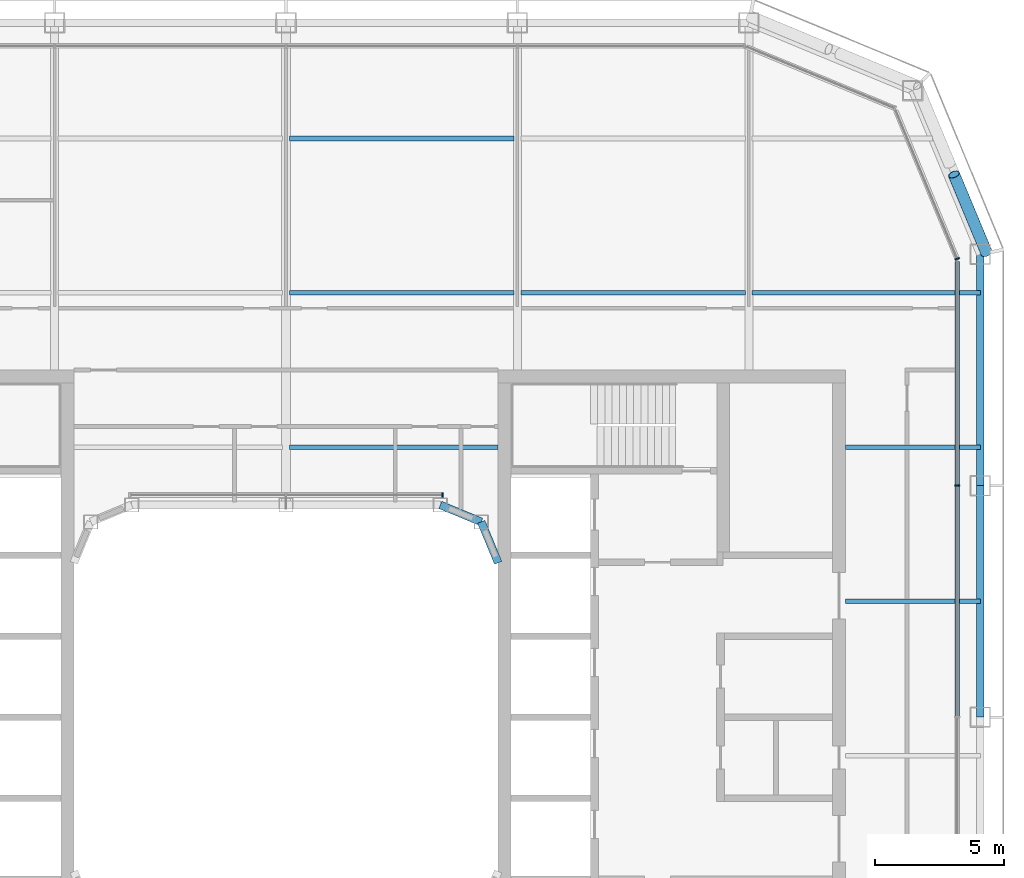
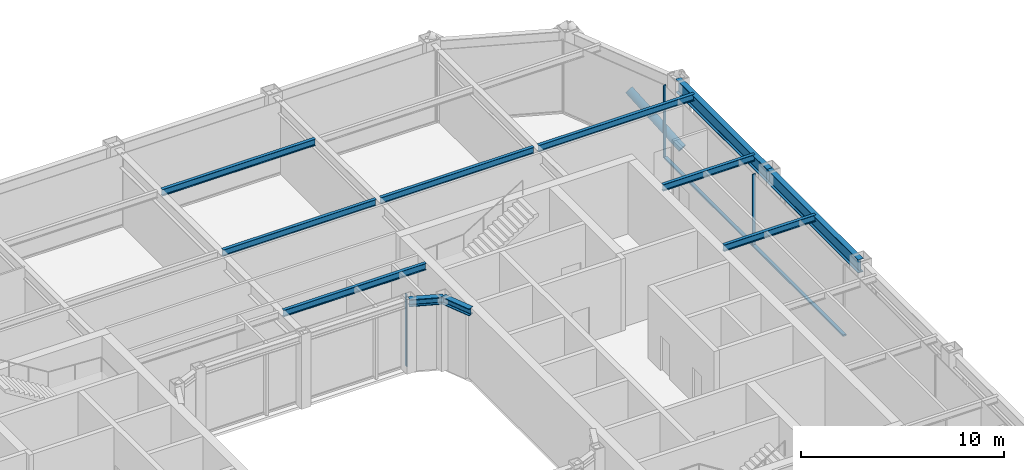
# One storey, part 9 of 19: 11 beams, 6 members, 3 elements without a shape of their own.
"""IFC4 building model written with IfcOpenShell, lengths in metres."""

from ifc_helpers import new_model, si_unit, direction, frame, origin, origin_2d, place, context, subcontext, project, spatial, rectangle, hollow_circle, i_section, extrude, material, layer, layer_set, material_profile, profile_set, type_object, element, aggregate, save


model = new_model("IFC4")

# Units and contexts
model_context = context("Model", 3, precision=1e-05, world=origin(), true_north=direction((0.0, 1.0)))
body_context = subcontext(model_context, "Body", "Model", "MODEL_VIEW")
ifc_project = project(units=[si_unit("LENGTHUNIT", "METRE"), si_unit("AREAUNIT", "SQUARE_METRE"), si_unit("VOLUMEUNIT", "CUBIC_METRE"), si_unit("PLANEANGLEUNIT", "RADIAN"), si_unit("MASSUNIT", "GRAM", prefix="KILO")], contexts=[model_context])

# Site, building, storey
site_placement = place(None, origin())
site = spatial("IfcSite", under=ifc_project, at=site_placement, CompositionType="ELEMENT")
building_placement = place(site_placement, origin())
building = spatial("IfcBuilding", under=site, at=building_placement, Name="Siwar Civic Tower", CompositionType="ELEMENT")
storey_placement = place(building_placement, frame((0.0, 0.0, 246.699951171875)))
storey = spatial("IfcBuildingStorey", under=building, at=storey_placement, Name="L53", CompositionType="ELEMENT", Elevation=246.699951171875)

# Curtain wall, member
ifc_material_1 = material(Name="Aluminium and glass", Category="aluminium")
ifc_layer_1 = layer(ifc_material_1, 0.179931640625)
ifc_layer_set_1 = layer_set([ifc_layer_1], Name="Aluminium and glass")
curtain_wall_type_1 = type_object("IfcCurtainWallType", Name="ENV-CW-C", PredefinedType="NOTDEFINED", material=ifc_layer_set_1)
curtain_wall_1_placement = place(storey_placement, origin())
curtain_wall_1 = element("IfcCurtainWall", 1, at=curtain_wall_1_placement, inside=storey, type_object=curtain_wall_type_1, Name="Curtain wall C E", PredefinedType="NOTDEFINED")
ifc_material_2 = material(Name="Aluminium 6063-T6", Category="aluminium")
ifc_material_profile_1 = material_profile(ifc_material_2, rectangle(XDim=0.179931640625, YDim=0.06005859375, at=origin_2d()), Name="AL 180x60")
ifc_profile_set_1 = profile_set([ifc_material_profile_1], Name="Aluminium 6063-T6")
member_type_1 = type_object("IfcMemberType", Name="ENV-MULLION-C", PredefinedType="MULLION", material=ifc_profile_set_1)
member_1_placement = place(storey_placement, frame((26.10009765625, 9.0, 0.0), z_axis=(0.0, 0.0, 1.0), x_axis=(-1.0, 0.0, 0.0)))
member_1 = element("IfcMember", 2, at=member_1_placement, type_object=member_type_1, Name="Mullion C E 4", PredefinedType="MULLION", context=body_context, shape_type="SweptSolid", body=[
    extrude(rectangle(XDim=0.179931640625, YDim=0.06005859375, at=origin_2d()), origin(), (0.0, 0.0, 1.0), 4.35009765625),
])

ifc_material_3 = material(Name="Aluminium clad insulated panel", Category="aluminium")
ifc_layer_2 = layer(ifc_material_3, 0.179931640625)
ifc_layer_set_2 = layer_set([ifc_layer_2], Name="Aluminium clad insulated panel")
curtain_wall_type_2 = type_object("IfcCurtainWallType", Name="ENV-CW-CX", PredefinedType="NOTDEFINED", material=ifc_layer_set_2)
curtain_wall_2_placement = place(storey_placement, origin())
curtain_wall_2 = element("IfcCurtainWall", 3, at=curtain_wall_2_placement, inside=storey, type_object=curtain_wall_type_2, Name="Curtain wall C NE1", PredefinedType="NOTDEFINED")
member_2_placement = place(storey_placement, frame((26.10009765625, 17.821044921875, 0.0), z_axis=(0.0, 0.0, 1.0), x_axis=(-0.923879532511, -0.382683432365, 0.0)))
member_2 = element("IfcMember", 4, at=member_2_placement, type_object=member_type_1, Name="Mullion C NE1 1", PredefinedType="MULLION", context=body_context, shape_type="SweptSolid", body=[
    extrude(rectangle(XDim=0.179931640625, YDim=0.06005859375, at=origin_2d()), origin(), (0.0, 0.0, 1.0), 4.35009765625),
])
aggregate(curtain_wall_2, [member_2])

ifc_material_4 = material(Name="Aluminium and glass", Category="aluminium")
ifc_layer_3 = layer(ifc_material_4, 0.179931640625)
ifc_layer_set_3 = layer_set([ifc_layer_3], Name="Aluminium and glass")
curtain_wall_type_3 = type_object("IfcCurtainWallType", Name="ENV-CW-W", PredefinedType="NOTDEFINED", material=ifc_layer_set_3)
curtain_wall_3_placement = place(storey_placement, origin())
curtain_wall_3 = element("IfcCurtainWall", 5, at=curtain_wall_3_placement, inside=storey, type_object=curtain_wall_type_3, Name="Curtain wall W WN", PredefinedType="NOTDEFINED")
ifc_material_5 = material(Name="Aluminium 6063-T6", Category="aluminium")
ifc_material_profile_2 = material_profile(ifc_material_5, rectangle(XDim=0.179931640625, YDim=0.06005859375, at=origin_2d()), Name="AL 180x60")
ifc_profile_set_2 = profile_set([ifc_material_profile_2], Name="Aluminium 6063-T6")
member_type_2 = type_object("IfcMemberType", Name="ENV-MULLION-W", PredefinedType="MULLION", material=ifc_profile_set_2)
member_3_placement = place(storey_placement, frame((6.07666015625, 8.635009765625, 0.0), z_axis=(0.0, 0.0, 1.0), x_axis=(0.0, -1.0, 0.0)))
member_3 = element("IfcMember", 6, at=member_3_placement, type_object=member_type_2, Name="Mullion W WN 1", PredefinedType="MULLION", context=body_context, shape_type="SweptSolid", body=[
    extrude(rectangle(XDim=0.179931640625, YDim=0.06005859375, at=origin_2d()), origin(), (0.0, 0.0, 1.0), 4.35009765625),
])
aggregate(curtain_wall_3, [member_3])

# Member
ifc_material_6 = material(Name="Aluminium 6063-T6", Category="aluminium")
ifc_material_profile_3 = material_profile(ifc_material_6, rectangle(XDim=0.179931640625, YDim=0.10009765625, at=origin_2d()), Name="AL 180x100")
ifc_profile_set_3 = profile_set([ifc_material_profile_3], Name="Aluminium 6063-T6")
member_type_3 = type_object("IfcMemberType", Name="ENV-TRANSOM-C", PredefinedType="USERDEFINED", material=ifc_profile_set_3)
member_4_placement = place(storey_placement, frame((26.10009765625, 0.030029296875, 0.050048828125), z_axis=(0.0, 1.0, 0.0), x_axis=(-1.0, 0.0, 0.0)))
member_4 = element("IfcMember", 7, at=member_4_placement, type_object=member_type_3, Name="Transom C E 3", ObjectType="TRANSOM", PredefinedType="USERDEFINED", context=body_context, shape_type="SweptSolid", body=[
    extrude(rectangle(XDim=0.179931640625, YDim=0.10009765625, at=origin_2d()), origin(), (0.0, 0.0, 1.0), 8.93994140625),
])

member_5_placement = place(storey_placement, frame((26.10009765625, 9.030029296875, 0.050048828125), z_axis=(0.0, 1.0, 0.0), x_axis=(-1.0, 0.0, 0.0)))
member_5 = element("IfcMember", 8, at=member_5_placement, type_object=member_type_3, Name="Transom C E 4", ObjectType="TRANSOM", PredefinedType="USERDEFINED", context=body_context, shape_type="SweptSolid", body=[
    extrude(rectangle(XDim=0.179931640625, YDim=0.10009765625, at=origin_2d()), origin(), (0.0, 0.0, 1.0), 8.68603515625),
])

aggregate(curtain_wall_1, [member_1, member_4, member_5])

ifc_material_7 = material(Name="Steel S355", Category="steel")
ifc_material_profile_4 = material_profile(ifc_material_7, hollow_circle(Radius=0.228515625, WallThickness=0.02001953125, at=origin_2d()), Name="CHS457x20")
ifc_profile_set_4 = profile_set([ifc_material_profile_4], Name="Steel S355")
member_type_4 = type_object("IfcMemberType", Name="STR-BR-CHS457x20", PredefinedType="BRACE", material=ifc_profile_set_4)
member_6_placement = place(storey_placement, frame((27.2451171875, 18.048828125, 0.0), z_axis=(-0.323884455881, 0.777546448489, 0.538999424564), x_axis=(-0.92311621485, -0.38452107079, 0.0)))
element("IfcMember", 9, at=member_6_placement, inside=storey, type_object=member_type_4, Name="L53/brc/CNE1-13-0-4", PredefinedType="BRACE", context=body_context, shape_type="SweptSolid", body=[
    extrude(hollow_circle(Radius=0.228515625, WallThickness=0.02001953125, at=origin_2d()), origin(), (0.0, 0.0, 1.0), 3.927978515625),
])

# Beams
ifc_material_8 = material(Name="Steel S355", Category="steel")
ifc_material_profile_5 = material_profile(ifc_material_8, i_section(OverallWidth=0.179931640625, OverallDepth=0.39990234375, WebThickness=0.008544921875, FlangeThickness=0.013427734375, FilletRadius=0.02099609375, at=origin_2d()), Name="IPE400")
ifc_profile_set_5 = profile_set([ifc_material_profile_5], Name="Steel S355")
beam_type_1 = type_object("IfcBeamType", Name="STR-FB-IPE400", PredefinedType="JOIST", material=ifc_profile_set_5)
beam_1_placement = place(storey_placement, frame((21.75, 4.5, 4.150146484375), z_axis=(1.0, 0.0, 0.0), x_axis=(0.0, 1.0, 0.0)))
element("IfcBeam", 10, at=beam_1_placement, inside=storey, type_object=beam_type_1, Name="L53/bm/F026", PredefinedType="JOIST", context=body_context, shape_type="SweptSolid", body=[
    extrude(i_section(OverallWidth=0.179931640625, OverallDepth=0.39990234375, WebThickness=0.008544921875, FlangeThickness=0.013427734375, FilletRadius=0.02099609375, at=origin_2d()), origin(), (0.0, 0.0, 1.0), 5.25),
])
beam_2_placement = place(storey_placement, frame((0.1298828125, 10.5, 4.150146484375), z_axis=(1.0, 0.0, 0.0), x_axis=(0.0, 1.0, 0.0)))
element("IfcBeam", 11, at=beam_2_placement, inside=storey, type_object=beam_type_1, Name="L53/bm/F029", PredefinedType="JOIST", context=body_context, shape_type="SweptSolid", body=[
    extrude(i_section(OverallWidth=0.179931640625, OverallDepth=0.39990234375, WebThickness=0.008544921875, FlangeThickness=0.013427734375, FilletRadius=0.02099609375, at=origin_2d()), origin(), (0.0, 0.0, 1.0), 8.1201171875),
])
beam_3_placement = place(storey_placement, frame((21.75, 10.5, 4.150146484375), z_axis=(1.0, 0.0, 0.0), x_axis=(0.0, 1.0, 0.0)))
element("IfcBeam", 12, at=beam_3_placement, inside=storey, type_object=beam_type_1, Name="L53/bm/F030", PredefinedType="JOIST", context=body_context, shape_type="SweptSolid", body=[
    extrude(i_section(OverallWidth=0.179931640625, OverallDepth=0.39990234375, WebThickness=0.008544921875, FlangeThickness=0.013427734375, FilletRadius=0.02099609375, at=origin_2d()), origin(), (0.0, 0.0, 1.0), 5.25),
])
for number, where, z_axis, x_axis, name in (
    (13, (0.1298828125, 16.5, 4.150146484375), (1.0, 0.0, 0.0), (0.0, 1.0, 0.0), "L53/bm/F034"),
    (14, (9.1298828125, 16.5, 4.150146484375), (1.0, 0.0, 0.0), (0.0, 1.0, 0.0), "L53/bm/F035"),
):
    element("IfcBeam", number, at=place(storey_placement, frame(where, z_axis=z_axis, x_axis=x_axis)), inside=storey, type_object=beam_type_1, Name=name, PredefinedType="JOIST", context=body_context, shape_type="SweptSolid", body=[
        extrude(i_section(OverallWidth=0.179931640625, OverallDepth=0.39990234375, WebThickness=0.008544921875, FlangeThickness=0.013427734375, FilletRadius=0.02099609375, at=origin_2d()), origin(), (0.0, 0.0, 1.0), 8.740234375),
    ])
beam_4_placement = place(storey_placement, frame((18.1298828125, 16.5, 4.150146484375), z_axis=(1.0, 0.0, 0.0), x_axis=(0.0, 1.0, 0.0)))
element("IfcBeam", 15, at=beam_4_placement, inside=storey, type_object=beam_type_1, Name="L53/bm/F036", PredefinedType="JOIST", context=body_context, shape_type="SweptSolid", body=[
    extrude(i_section(OverallWidth=0.179931640625, OverallDepth=0.39990234375, WebThickness=0.008544921875, FlangeThickness=0.013427734375, FilletRadius=0.02099609375, at=origin_2d()), origin(), (0.0, 0.0, 1.0), 8.8701171875),
])
beam_5_placement = place(storey_placement, frame((0.1298828125, 22.5, 4.150146484375), z_axis=(1.0, 0.0, 0.0), x_axis=(0.0, 1.0, 0.0)))
element("IfcBeam", 16, at=beam_5_placement, inside=storey, type_object=beam_type_1, Name="L53/bm/F040", PredefinedType="JOIST", context=body_context, shape_type="SweptSolid", body=[
    extrude(i_section(OverallWidth=0.179931640625, OverallDepth=0.39990234375, WebThickness=0.008544921875, FlangeThickness=0.013427734375, FilletRadius=0.02099609375, at=origin_2d()), origin(), (0.0, 0.0, 1.0), 8.740234375),
])
ifc_material_9 = material(Name="Steel S355", Category="steel")
ifc_material_profile_6 = material_profile(ifc_material_9, i_section(OverallWidth=0.306884765625, OverallDepth=0.431884765625, WebThickness=0.02099609375, FlangeThickness=0.0400390625, FilletRadius=0.027099609375, at=origin_2d()), Name="HEM400")
ifc_profile_set_6 = profile_set([ifc_material_profile_6], Name="Steel S355")
beam_type_2 = type_object("IfcBeamType", Name="STR-RB-HEM400", PredefinedType="BEAM", material=ifc_profile_set_6)
for number, where, z_axis, x_axis, name in (
    (17, (6.0, 8.25, 4.134033203125), (0.923901072997, -0.382631424892, 0.0), (0.382631424892, 0.923901072997, 0.0), "L53/bm/RN3"),
    (18, (7.591064453125, 7.591064453125, 4.134033203125), (0.382631424892, -0.923901072997, 0.0), (0.923901072997, 0.382631424892, 0.0), "L53/bm/RNEE"),
):
    element("IfcBeam", number, at=place(storey_placement, frame(where, z_axis=z_axis, x_axis=x_axis)), inside=storey, type_object=beam_type_2, Name=name, PredefinedType="BEAM", context=body_context, shape_type="SweptSolid", body=[
        extrude(i_section(OverallWidth=0.306884765625, OverallDepth=0.431884765625, WebThickness=0.02099609375, FlangeThickness=0.0400390625, FilletRadius=0.027099609375, at=origin_2d()), origin(), (0.0, 0.0, 1.0), 1.72216796875),
    ])
ifc_material_10 = material(Name="Steel S355", Category="steel")
ifc_material_profile_7 = material_profile(ifc_material_10, i_section(OverallWidth=0.300048828125, OverallDepth=0.800048828125, WebThickness=0.017578125, FlangeThickness=0.032958984375, FilletRadius=0.030029296875, at=origin_2d()), Name="HEB800")
ifc_profile_set_7 = profile_set([ifc_material_profile_7], Name="Steel S355")
beam_type_3 = type_object("IfcBeamType", Name="STR-SB-HEB800", PredefinedType="BEAM", material=ifc_profile_set_7)
for number, where, z_axis, x_axis, name in (
    (19, (27.0, 0.0, 3.949951171875), (0.0, 1.0, 0.0), (-1.0, 0.0, 0.0), "L53/bm/SE-2"),
    (20, (27.0, 9.0, 3.949951171875), (0.0, 1.0, 0.0), (-1.0, 0.0, 0.0), "L53/bm/SE-3"),
):
    element("IfcBeam", number, at=place(storey_placement, frame(where, z_axis=z_axis, x_axis=x_axis)), inside=storey, type_object=beam_type_3, Name=name, PredefinedType="BEAM", context=body_context, shape_type="SweptSolid", body=[
        extrude(i_section(OverallWidth=0.300048828125, OverallDepth=0.800048828125, WebThickness=0.017578125, FlangeThickness=0.032958984375, FilletRadius=0.030029296875, at=origin_2d()), origin(), (0.0, 0.0, 1.0), 9.0),
    ])

save(model, "model.ifc")
